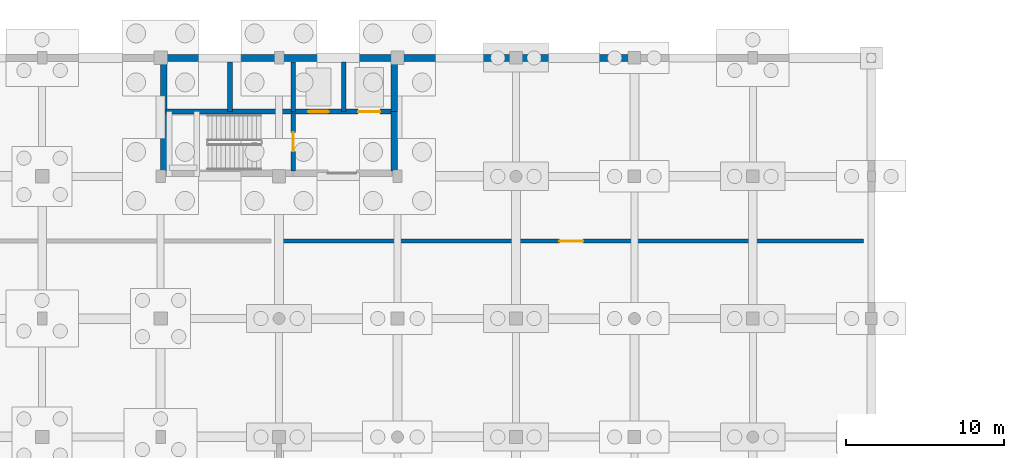
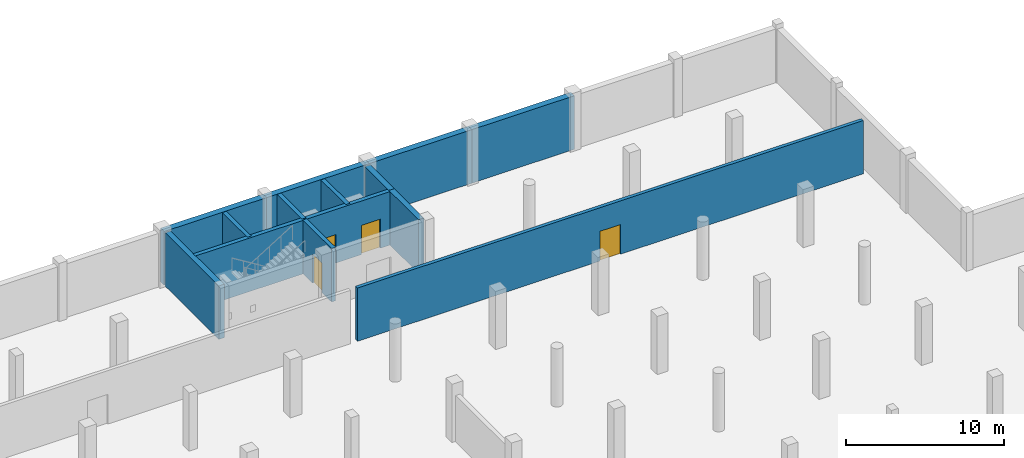
# One storey, part 30 of 42: 14 walls, 4 doors, 4 openings.
"""IFC4 building model written with IfcOpenShell, lengths in metres."""

from ifc_helpers import new_model, si_unit, direction, frame, frame_2d, origin, place, context, subcontext, project, spatial, rectangle, extrude, material, layer, layer_set, type_object, element, fill, save


model = new_model("IFC4")

# Units and contexts
model_context = context("Model", 3, precision=1e-05, world=origin(), true_north=direction((0.0, 1.0)))
body_context = subcontext(model_context, "Body", "Model", "MODEL_VIEW")
ifc_project = project(units=[si_unit("LENGTHUNIT", "METRE"), si_unit("AREAUNIT", "SQUARE_METRE"), si_unit("VOLUMEUNIT", "CUBIC_METRE"), si_unit("PLANEANGLEUNIT", "RADIAN"), si_unit("MASSUNIT", "GRAM", prefix="KILO")], contexts=[model_context])

# Site, building, storey
site_placement = place(None, origin())
site = spatial("IfcSite", under=ifc_project, at=site_placement, CompositionType="ELEMENT")
building_placement = place(site_placement, origin())
building = spatial("IfcBuilding", under=site, at=building_placement, Name="Dalvernix Boulevard General Hospital", CompositionType="ELEMENT")
storey_placement = place(building_placement, frame((0.0, 0.0, -4.5)))
storey = spatial("IfcBuildingStorey", under=building, at=storey_placement, Name="B1", CompositionType="ELEMENT", Elevation=-4.5)

# Walls
ifc_material_1 = material(Name="Concrete C40/50", Category="concrete")
ifc_layer_1 = layer(ifc_material_1, 0.39990234375)
ifc_layer_set_1 = layer_set([ifc_layer_1], Name="Concrete C40/50 (WAL-CSW-01)")
wall_type_1 = type_object("IfcWallType", Name="WAL-CSW-01", PredefinedType="SHEAR", material=ifc_layer_set_1)
wall_1_placement = place(storey_placement, frame((97.699951171875, 109.85009765625, 0.0), z_axis=(0.0, 0.0, 1.0), x_axis=(0.0, 1.0, 0.0)))
element("IfcWall", 1, at=wall_1_placement, inside=storey, type_object=wall_type_1, Name="B1 C4 west core wall", PredefinedType="SHEAR", context=body_context, shape_type="SweptSolid", body=[
    extrude(rectangle(XDim=6.7998046875, YDim=0.39990234375, at=frame_2d((3.39990234375, 0.0))), origin(), (0.0, 0.0, 1.0), 4.139892578125),
])
wall_2_placement = place(storey_placement, frame((112.300048828125, 109.85009765625, 0.0), z_axis=(0.0, 0.0, 1.0), x_axis=(0.0, 1.0, 0.0)))
element("IfcWall", 2, at=wall_2_placement, inside=storey, type_object=wall_type_1, Name="B1 C4 east lobby core wall", PredefinedType="SHEAR", context=body_context, shape_type="SweptSolid", body=[
    extrude(rectangle(XDim=3.75, YDim=0.39990234375, at=frame_2d((1.875, 0.0))), origin(), (0.0, 0.0, 1.0), 4.139892578125),
])
wall_3_placement = place(storey_placement, frame((112.300048828125, 113.60009765625, 0.0), z_axis=(0.0, 0.0, 1.0), x_axis=(0.0, 1.0, 0.0)))
element("IfcWall", 3, at=wall_3_placement, inside=storey, type_object=wall_type_1, Name="B1 C4 east shaft core wall", PredefinedType="SHEAR", context=body_context, shape_type="SweptSolid", body=[
    extrude(rectangle(XDim=3.0498046875, YDim=0.39990234375, at=frame_2d((1.52490234375, 0.0))), origin(), (0.0, 0.0, 1.0), 4.139892578125),
])
ifc_layer_2 = layer(ifc_material_1, 0.300048828125)
ifc_layer_set_2 = layer_set([ifc_layer_2], Name="Concrete C40/50 (WAL-CSW-02)")
wall_type_2 = type_object("IfcWallType", Name="WAL-CSW-02", PredefinedType="SHEAR", material=ifc_layer_set_2)
wall_4_placement = place(storey_placement, frame((97.85009765625, 113.60009765625, 0.0), z_axis=(0.0, 0.0, 1.0), x_axis=(1.0, 0.0, 0.0)))
element("IfcWall", 4, at=wall_4_placement, inside=storey, type_object=wall_type_2, Name="B1 C4 riser spine wall", PredefinedType="SHEAR", context=body_context, shape_type="SweptSolid", body=[
    extrude(rectangle(XDim=8.0498046875, YDim=0.300048828125, at=frame_2d((4.02490234375, 0.0))), origin(), (0.0, 0.0, 1.0), 4.139892578125),
])

# Wall, openings, doors
wall_5_placement = place(storey_placement, frame((105.89990234375, 113.60009765625, 0.0), z_axis=(0.0, 0.0, 1.0), x_axis=(1.0, 0.0, 0.0)))
wall_5 = element("IfcWall", 5, at=wall_5_placement, inside=storey, type_object=wall_type_2, Name="B1 C4 lift shaft front wall", PredefinedType="SHEAR", context=body_context, shape_type="SweptSolid", body=[
    extrude(rectangle(XDim=6.25, YDim=0.300048828125, at=frame_2d((3.125, 0.0))), origin(), (0.0, 0.0, 1.0), 4.139892578125),
])
opening_1_placement = place(wall_5_placement, frame((0.949951171875, 0.0, 0.0)))
opening_1 = element("IfcOpeningElement", 6, at=opening_1_placement, cuts=wall_5, Name="Opening LD-LF-03-B1", PredefinedType="OPENING", context=body_context, shape_type="SweptSolid", body=[
    extrude(rectangle(XDim=1.300048828125, YDim=2.199951171875, at=frame_2d((0.64990234375, 1.10009765625))), frame((0.0, 0.159912109375, 0.0), z_axis=(0.0, -1.0, 0.0), x_axis=(1.0, 0.0, 0.0)), (0.0, 0.0, 1.0), 0.320068359375),
])
opening_2_placement = place(wall_5_placement, frame((4.10009765625, 0.0, 0.0)))
opening_2 = element("IfcOpeningElement", 7, at=opening_2_placement, cuts=wall_5, Name="Opening LD-GL-01-B1", PredefinedType="OPENING", context=body_context, shape_type="SweptSolid", body=[
    extrude(rectangle(XDim=1.39990234375, YDim=2.25, at=frame_2d((0.699951171875, 1.125))), frame((0.0, 0.159912109375, 0.0), z_axis=(0.0, -1.0, 0.0), x_axis=(1.0, 0.0, 0.0)), (0.0, 0.0, 1.0), 0.320068359375),
])
ifc_material_2 = material(Name="Stainless-clad steel", Category="steel")
door_type_1 = type_object("IfcDoorType", Name="DR-LD-01", OperationType="DOUBLE_DOOR_SLIDING", PredefinedType="DOOR", material=ifc_material_2)
door_1_placement = place(opening_2_placement, origin())
door_1 = element("IfcDoor", 8, at=door_1_placement, inside=storey, type_object=door_type_1, Name="B1 Lift GL-01 sliding landing door", OperationType="DOUBLE_DOOR_SLIDING", OverallHeight=2.25, OverallWidth=1.39990234375, PredefinedType="DOOR", context=body_context, shape_type="SweptSolid", body=[
    extrude(rectangle(XDim=1.39990234375, YDim=2.25, at=frame_2d((0.699951171875, 1.125))), frame((0.0, 0.02490234375, 0.0), z_axis=(0.0, -1.0, 0.0), x_axis=(1.0, 0.0, 0.0)), (0.0, 0.0, 1.0), 0.050048828125),
])
fill(opening_2, door_1)
door_type_2 = type_object("IfcDoorType", Name="DR-LD-02", OperationType="DOUBLE_DOOR_SLIDING", PredefinedType="DOOR", material=ifc_material_2)
door_2_placement = place(opening_1_placement, origin())
door_2 = element("IfcDoor", 9, at=door_2_placement, inside=storey, type_object=door_type_2, Name="B1 Lift LF-03 sliding landing door", OperationType="DOUBLE_DOOR_SLIDING", OverallHeight=2.199951171875, OverallWidth=1.300048828125, PredefinedType="DOOR", context=body_context, shape_type="SweptSolid", body=[
    extrude(rectangle(XDim=1.300048828125, YDim=2.199951171875, at=frame_2d((0.64990234375, 1.10009765625))), frame((0.0, 0.02490234375, 0.0), z_axis=(0.0, -1.0, 0.0), x_axis=(1.0, 0.0, 0.0)), (0.0, 0.0, 1.0), 0.050048828125),
])
fill(opening_1, door_2)

# Wall, opening, door
wall_6_placement = place(storey_placement, frame((105.89990234375, 113.5, 0.0), z_axis=(0.0, 0.0, 1.0), x_axis=(0.0, -1.0, 0.0)))
wall_6 = element("IfcWall", 10, at=wall_6_placement, inside=storey, type_object=wall_type_2, Name="B1 C4 stairwell fire wall", PredefinedType="SHEAR", context=body_context, shape_type="SweptSolid", body=[
    extrude(rectangle(XDim=3.64990234375, YDim=0.300048828125, at=frame_2d((1.824951171875, 0.0))), origin(), (0.0, 0.0, 1.0), 4.139892578125),
])
opening_3_placement = place(wall_6_placement, frame((1.219970703125, 0.0, 0.0)))
opening_3 = element("IfcOpeningElement", 11, at=opening_3_placement, cuts=wall_6, Name="Opening FD-02", PredefinedType="OPENING", context=body_context, shape_type="SweptSolid", body=[
    extrude(rectangle(XDim=1.199951171875, YDim=2.25, at=frame_2d((0.60009765625, 1.125))), frame((0.0, 0.159912109375, 0.0), z_axis=(0.0, -1.0, 0.0), x_axis=(1.0, 0.0, 0.0)), (0.0, 0.0, 1.0), 0.320068359375),
])
ifc_material_3 = material(Name="Hospital laminate acoustic timber and steel frame", Category="steel")
door_type_3 = type_object("IfcDoorType", Name="DR-FD-02", OperationType="NOTDEFINED", PredefinedType="DOOR", material=ifc_material_3)
door_3_placement = place(opening_3_placement, origin())
door_3 = element("IfcDoor", 12, at=door_3_placement, inside=storey, type_object=door_type_3, Name="B1 Stair ST-04 fire door", OperationType="SINGLE_SWING_LEFT", OverallHeight=2.25, OverallWidth=1.199951171875, PredefinedType="DOOR", context=body_context, shape_type="SweptSolid", body=[
    extrude(rectangle(XDim=1.199951171875, YDim=2.25, at=frame_2d((0.60009765625, 1.125))), frame((0.0, 0.02490234375, 0.0), z_axis=(0.0, -1.0, 0.0), x_axis=(1.0, 0.0, 0.0)), (0.0, 0.0, 1.0), 0.050048828125),
])
fill(opening_3, door_3)

# Walls
for number, where, z_axis, x_axis, name in (
    (13, (101.89990234375, 113.60009765625, 0.0), (0.0, 0.0, 1.0), (0.0, 1.0, 0.0), "B1 C4 shaft divider R1"),
    (14, (105.89990234375, 113.60009765625, 0.0), (0.0, 0.0, 1.0), (0.0, 1.0, 0.0), "B1 C4 shaft divider R2"),
    (15, (109.10009765625, 113.60009765625, 0.0), (0.0, 0.0, 1.0), (0.0, 1.0, 0.0), "B1 C4 shaft divider L1"),
):
    element("IfcWall", number, at=place(storey_placement, frame(where, z_axis=z_axis, x_axis=x_axis)), inside=storey, type_object=wall_type_2, Name=name, PredefinedType="SHEAR", context=body_context, shape_type="SweptSolid", body=[
        extrude(rectangle(XDim=3.14990234375, YDim=0.300048828125, at=frame_2d((1.574951171875, 0.0))), origin(), (0.0, 0.0, 1.0), 4.139892578125),
    ])

# Wall, opening, door
ifc_material_4 = material(Name="Acoustic fire-rated masonry clinical wall", Category="masonry")
ifc_layer_3 = layer(ifc_material_4, 0.25)
ifc_layer_set_3 = layer_set([ifc_layer_3], Name="Acoustic fire-rated masonry clinical wall (WAL-IW-01)")
wall_type_3 = type_object("IfcWallType", Name="WAL-IW-01", PredefinedType="STANDARD", material=ifc_layer_set_3)
wall_7_placement = place(storey_placement, frame((142.0, 105.39990234375, 0.0), z_axis=(0.0, 0.0, 1.0), x_axis=(-1.0, 0.0, 0.0)))
wall_7 = element("IfcWall", 16, at=wall_7_placement, inside=storey, type_object=wall_type_3, Name="B1 Medical Gas Manifold and Vacuum Plant Room corridor wall", PredefinedType="STANDARD", context=body_context, shape_type="SweptSolid", body=[
    extrude(rectangle(XDim=37.0, YDim=0.25, at=frame_2d((18.5, 0.0))), origin(), (0.0, 0.0, 1.0), 4.125),
])
opening_4_placement = place(wall_7_placement, frame((17.75, 0.0, 0.0)))
opening_4 = element("IfcOpeningElement", 17, at=opening_4_placement, cuts=wall_7, Name="Opening ID-14", PredefinedType="OPENING", context=body_context, shape_type="SweptSolid", body=[
    extrude(rectangle(XDim=1.5, YDim=2.300048828125, at=frame_2d((0.75, 1.14990234375))), frame((0.0, 0.135009765625, 0.0), z_axis=(0.0, -1.0, 0.0), x_axis=(1.0, 0.0, 0.0)), (0.0, 0.0, 1.0), 0.27001953125),
])
door_type_4 = type_object("IfcDoorType", Name="DR-ID-14", OperationType="DOUBLE_DOOR_SINGLE_SWING", PredefinedType="DOOR", material=ifc_material_3)
door_4_placement = place(opening_4_placement, origin())
door_4 = element("IfcDoor", 18, at=door_4_placement, inside=storey, type_object=door_type_4, Name="B1 Medical Gas Manifold and Vacuum Plant Room door", OperationType="DOUBLE_DOOR_SINGLE_SWING", OverallHeight=2.300048828125, OverallWidth=1.5, PredefinedType="DOOR", context=body_context, shape_type="SweptSolid", body=[
    extrude(rectangle(XDim=1.5, YDim=2.300048828125, at=frame_2d((0.75, 1.14990234375))), frame((0.0, 0.02490234375, 0.0), z_axis=(0.0, -1.0, 0.0), x_axis=(1.0, 0.0, 0.0)), (0.0, 0.0, 1.0), 0.050048828125),
])
fill(opening_4, door_4)

# Walls
ifc_layer_4 = layer(ifc_material_1, 0.449951171875)
ifc_layer_set_4 = layer_set([ifc_layer_4], Name="Concrete C40/50 (WAL-RET-01)")
wall_type_4 = type_object("IfcWallType", Name="WAL-RET-01", PredefinedType="SOLIDWALL", material=ifc_layer_set_4)
for number, where, z_axis, x_axis, name in (
    (19, (97.5, 117.0, 0.0), (0.0, 0.0, 1.0), (1.0, 0.0, 0.0), "B1 basement retaining wall 24"),
    (20, (105.0, 117.0, 0.0), (0.0, 0.0, 1.0), (1.0, 0.0, 0.0), "B1 basement retaining wall 25"),
    (21, (112.5, 117.0, 0.0), (0.0, 0.0, 1.0), (1.0, 0.0, 0.0), "B1 basement retaining wall 26"),
    (22, (120.0, 117.0, 0.0), (0.0, 0.0, 1.0), (1.0, 0.0, 0.0), "B1 basement retaining wall 27"),
):
    element("IfcWall", number, at=place(storey_placement, frame(where, z_axis=z_axis, x_axis=x_axis)), inside=storey, type_object=wall_type_4, Name=name, PredefinedType="SOLIDWALL", context=body_context, shape_type="SweptSolid", body=[
        extrude(rectangle(XDim=7.5, YDim=0.449951171875, at=frame_2d((3.75, 0.0))), origin(), (0.0, 0.0, 1.0), 4.139892578125),
    ])

save(model, "model.ifc")
